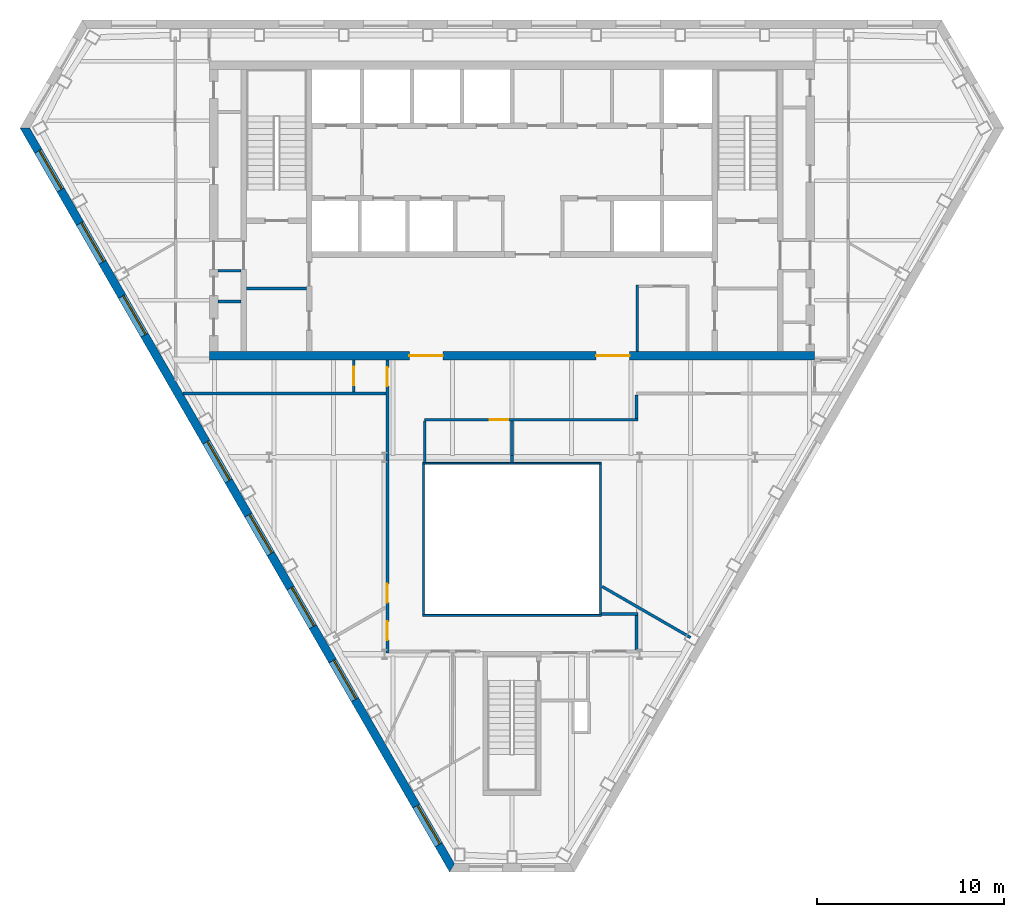
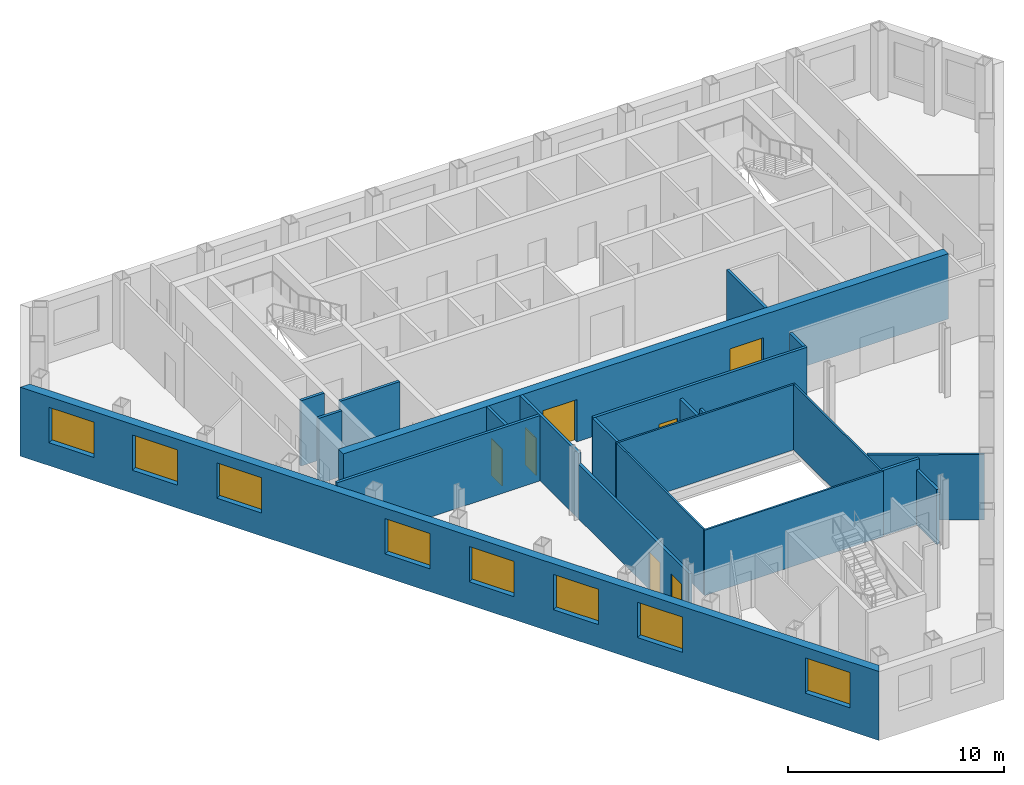
# One storey, part 4 of 10: 22 walls, 8 windows, 7 doors, 15 openings.
"""IFC4 building model written with IfcOpenShell, lengths in metres."""

from ifc_helpers import new_model, si_unit, direction, frame, frame_2d, origin, place, context, subcontext, project, spatial, polyline, rectangle, outline, extrude, material, layer, layer_set, type_object, element, fill, save


model = new_model("IFC4")

# Units and contexts
model_context = context("Model", 3, precision=1e-05, world=origin(), true_north=direction((0.0, 1.0)))
body_context = subcontext(model_context, "Body", "Model", "MODEL_VIEW")
ifc_project = project(units=[si_unit("LENGTHUNIT", "METRE"), si_unit("AREAUNIT", "SQUARE_METRE"), si_unit("VOLUMEUNIT", "CUBIC_METRE"), si_unit("PLANEANGLEUNIT", "RADIAN"), si_unit("MASSUNIT", "GRAM", prefix="KILO")], contexts=[model_context])

# Site, building, storey
site_placement = place(None, origin())
site = spatial("IfcSite", under=ifc_project, at=site_placement, CompositionType="ELEMENT")
building_placement = place(site_placement, origin())
building = spatial("IfcBuilding", under=site, at=building_placement, Name="Njiva Tower", CompositionType="ELEMENT")
storey_placement = place(building_placement, frame((0.0, 0.0, 231.6)))
storey = spatial("IfcBuildingStorey", under=building, at=storey_placement, Name="L52", CompositionType="ELEMENT", Elevation=231.6)

# Walls
ifc_material_1 = material(Name="Blockwork", Category="masonry")
ifc_layer_1 = layer(ifc_material_1, 0.15)
ifc_layer_set_1 = layer_set([ifc_layer_1], Name="Blockwork")
wall_type_1 = type_object("IfcWallType", Name="WT1 Compartment partition 150", PredefinedType="PARTITIONING", material=ifc_layer_set_1)
wall_1_placement = place(storey_placement, frame((-14.2, 5.825, 0.0), z_axis=(0.0, 0.0, 1.0), x_axis=(1.0, 0.0, 0.0)))
element("IfcWall", 1, at=wall_1_placement, inside=storey, type_object=wall_type_1, Name="Room wall A", PredefinedType="PARTITIONING", context=body_context, shape_type="SweptSolid", body=[
    extrude(rectangle(XDim=3.2, YDim=0.15, at=frame_2d((1.6, 0.0))), origin(), (0.0, 0.0, 1.0), 3.7),
])
wall_2_placement = place(storey_placement, frame((-15.75, 5.125, 0.0), z_axis=(0.0, 0.0, 1.0), x_axis=(1.0, 0.0, 0.0)))
element("IfcWall", 2, at=wall_2_placement, inside=storey, type_object=wall_type_1, Name="Partition strip W00", PredefinedType="PARTITIONING", context=body_context, shape_type="SweptSolid", body=[
    extrude(rectangle(XDim=1.25, YDim=0.15, at=frame_2d((0.625, 0.0))), origin(), (0.0, 0.0, 1.0), 3.7),
])
wall_3_placement = place(storey_placement, frame((6.7, 2.45, 0.0), z_axis=(0.0, 0.0, 1.0), x_axis=(0.0, 1.0, 0.0)))
element("IfcWall", 3, at=wall_3_placement, inside=storey, type_object=wall_type_1, Name="Security office wall west", PredefinedType="PARTITIONING", context=body_context, shape_type="SweptSolid", body=[
    extrude(rectangle(XDim=3.575, YDim=0.15, at=frame_2d((1.7875, 0.0))), origin(), (0.0, 0.0, 1.0), 3.7),
])

# Wall, openings, doors
ifc_material_2 = material(Name="Concrete C60/75", Category="concrete")
ifc_layer_2 = layer(ifc_material_2, 0.45)
ifc_layer_set_2 = layer_set([ifc_layer_2], Name="Concrete C60/75")
wall_type_2 = type_object("IfcWallType", Name="WT12 Core wall 450", PredefinedType="SHEAR", material=ifc_layer_set_2)
wall_4_placement = place(storey_placement, frame((-16.2, 2.225, 0.0), z_axis=(0.0, 0.0, 1.0), x_axis=(1.0, 0.0, 0.0)))
wall_4 = element("IfcWall", 4, at=wall_4_placement, inside=storey, type_object=wall_type_2, Name="Core wall south", PredefinedType="SHEAR", context=body_context, shape_type="SweptSolid", body=[
    extrude(rectangle(XDim=32.4, YDim=0.45, at=frame_2d((16.2, 0.0))), origin(), (0.0, 0.0, 1.0), 3.7),
])
opening_1_placement = place(wall_4_placement, frame((10.7, 0.0, 0.0)))
opening_1 = element("IfcOpeningElement", 5, at=opening_1_placement, cuts=wall_4, Name="Opening S17-D936", PredefinedType="OPENING", context=body_context, shape_type="SweptSolid", body=[
    extrude(rectangle(XDim=1.8, YDim=2.4, at=frame_2d((0.9, 1.2))), frame((0.0, 0.235, 0.0), z_axis=(0.0, -1.0, 0.0), x_axis=(1.0, 0.0, 0.0)), (0.0, 0.0, 1.0), 0.47),
])
opening_2_placement = place(wall_4_placement, frame((20.7, 0.0, 0.0)))
opening_2 = element("IfcOpeningElement", 6, at=opening_2_placement, cuts=wall_4, Name="Opening S17-D937", PredefinedType="OPENING", context=body_context, shape_type="SweptSolid", body=[
    extrude(rectangle(XDim=1.8, YDim=2.4, at=frame_2d((0.9, 1.2))), frame((0.0, 0.235, 0.0), z_axis=(0.0, -1.0, 0.0), x_axis=(1.0, 0.0, 0.0)), (0.0, 0.0, 1.0), 0.47),
])
ifc_material_3 = material(Name="Steel and glass door", Category="steel")
door_type_1 = type_object("IfcDoorType", Name="D3 Core entrance door 1800x2400", OperationType="DOUBLE_DOOR_SINGLE_SWING", PredefinedType="DOOR", material=ifc_material_3)
door_1_placement = place(opening_1_placement, origin())
door_1 = element("IfcDoor", 7, at=door_1_placement, inside=storey, type_object=door_type_1, Name="Core entrance door", OperationType="DOUBLE_DOOR_SINGLE_SWING", OverallHeight=2.4, OverallWidth=1.8, PredefinedType="DOOR", context=body_context, shape_type="SweptSolid", body=[
    extrude(rectangle(XDim=1.8, YDim=2.4, at=frame_2d((0.9, 1.2))), frame((0.0, 0.025, 0.0), z_axis=(0.0, -1.0, 0.0), x_axis=(1.0, 0.0, 0.0)), (0.0, 0.0, 1.0), 0.05),
])
fill(opening_1, door_1)
door_2_placement = place(opening_2_placement, origin())
door_2 = element("IfcDoor", 8, at=door_2_placement, inside=storey, type_object=door_type_1, Name="Core entrance door", OperationType="DOUBLE_DOOR_SINGLE_SWING", OverallHeight=2.4, OverallWidth=1.8, PredefinedType="DOOR", context=body_context, shape_type="SweptSolid", body=[
    extrude(rectangle(XDim=1.8, YDim=2.4, at=frame_2d((0.9, 1.2))), frame((0.0, 0.025, 0.0), z_axis=(0.0, -1.0, 0.0), x_axis=(1.0, 0.0, 0.0)), (0.0, 0.0, 1.0), 0.05),
])
fill(opening_2, door_2)

# Wall
ifc_material_4 = material(Name="Gypsum board on steel studs", Category="gypsum")
ifc_layer_3 = layer(ifc_material_4, 0.15)
ifc_layer_set_3 = layer_set([ifc_layer_3], Name="Gypsum board on steel studs")
wall_type_3 = type_object("IfcWallType", Name="WT21 Compartment wall 150", PredefinedType="PARTITIONING", material=ifc_layer_set_3)
wall_5_placement = place(storey_placement, frame((-17.608, 0.2, 0.0), z_axis=(0.0, 0.0, 1.0), x_axis=(1.0, 0.0, 0.0)))
element("IfcWall", 9, at=wall_5_placement, inside=storey, type_object=wall_type_3, Name="Partition S17-P004", PredefinedType="PARTITIONING", context=body_context, shape_type="SweptSolid", body=[
    extrude(rectangle(XDim=10.863, YDim=0.15, at=frame_2d((5.4315, 0.0))), origin(), (0.0, 0.0, 1.0), 3.7),
])

# Wall, opening, door
wall_6_placement = place(storey_placement, frame((-8.47, 0.275, 0.0), z_axis=(0.0, 0.0, 1.0), x_axis=(0.0, 1.0, 0.0)))
wall_6 = element("IfcWall", 10, at=wall_6_placement, inside=storey, type_object=wall_type_3, Name="Partition S17-P007", PredefinedType="PARTITIONING", context=body_context, shape_type="SweptSolid", body=[
    extrude(rectangle(XDim=1.725, YDim=0.15, at=frame_2d((0.8625, 0.0))), origin(), (0.0, 0.0, 1.0), 3.7),
])
opening_3_placement = place(wall_6_placement, frame((0.363, 0.0, 0.0)))
opening_3 = element("IfcOpeningElement", 11, at=opening_3_placement, cuts=wall_6, Name="Opening S17-D005", PredefinedType="OPENING", context=body_context, shape_type="SweptSolid", body=[
    extrude(rectangle(XDim=1.0, YDim=2.1, at=frame_2d((0.5, 1.05))), frame((0.0, 0.085, 0.0), z_axis=(0.0, -1.0, 0.0), x_axis=(1.0, 0.0, 0.0)), (0.0, 0.0, 1.0), 0.17),
])
ifc_material_5 = material(Name="Steel fire door set", Category="steel")
door_type_2 = type_object("IfcDoorType", Name="D37 Fire door 1000x2100", OperationType="SINGLE_SWING_LEFT", PredefinedType="DOOR", material=ifc_material_5)
door_3_placement = place(opening_3_placement, origin())
door_3 = element("IfcDoor", 12, at=door_3_placement, inside=storey, type_object=door_type_2, Name="Door S17-D005", OperationType="SINGLE_SWING_LEFT", OverallHeight=2.1, OverallWidth=1.0, PredefinedType="DOOR", context=body_context, shape_type="SweptSolid", body=[
    extrude(rectangle(XDim=1.0, YDim=2.1, at=frame_2d((0.5, 1.05))), frame((0.0, 0.025, 0.0), z_axis=(0.0, -1.0, 0.0), x_axis=(1.0, 0.0, 0.0)), (0.0, 0.0, 1.0), 0.05),
])
fill(opening_3, door_3)

# Wall, openings, doors
wall_7_placement = place(storey_placement, frame((-6.67, -13.675, 0.0), z_axis=(0.0, 0.0, 1.0), x_axis=(0.0, 1.0, 0.0)))
wall_7 = element("IfcWall", 13, at=wall_7_placement, inside=storey, type_object=wall_type_3, Name="Partition S17-P009", PredefinedType="PARTITIONING", context=body_context, shape_type="SweptSolid", body=[
    extrude(rectangle(XDim=10.263, YDim=0.15, at=frame_2d((5.1315, 0.0))), origin(), (0.0, 0.0, 1.0), 3.11),
])
opening_4_placement = place(wall_7_placement, frame((0.678, 0.0, 0.0)))
opening_4 = element("IfcOpeningElement", 14, at=opening_4_placement, cuts=wall_7, Name="Opening S17-D006", PredefinedType="OPENING", context=body_context, shape_type="SweptSolid", body=[
    extrude(rectangle(XDim=1.0, YDim=2.1, at=frame_2d((0.5, 1.05))), frame((0.0, 0.085, 0.0), z_axis=(0.0, -1.0, 0.0), x_axis=(1.0, 0.0, 0.0)), (0.0, 0.0, 1.0), 0.17),
])
opening_5_placement = place(wall_7_placement, frame((2.685, 0.0, 0.0)))
opening_5 = element("IfcOpeningElement", 15, at=opening_5_placement, cuts=wall_7, Name="Opening S17-D007", PredefinedType="OPENING", context=body_context, shape_type="SweptSolid", body=[
    extrude(rectangle(XDim=1.0, YDim=2.1, at=frame_2d((0.5, 1.05))), frame((0.0, 0.085, 0.0), z_axis=(0.0, -1.0, 0.0), x_axis=(1.0, 0.0, 0.0)), (0.0, 0.0, 1.0), 0.17),
])
door_4_placement = place(opening_4_placement, origin())
door_4 = element("IfcDoor", 16, at=door_4_placement, inside=storey, type_object=door_type_2, Name="Door S17-D006", OperationType="SINGLE_SWING_RIGHT", OverallHeight=2.1, OverallWidth=1.0, PredefinedType="DOOR", context=body_context, shape_type="SweptSolid", body=[
    extrude(rectangle(XDim=1.0, YDim=2.1, at=frame_2d((0.5, 1.05))), frame((0.0, 0.025, 0.0), z_axis=(0.0, -1.0, 0.0), x_axis=(1.0, 0.0, 0.0)), (0.0, 0.0, 1.0), 0.05),
])
fill(opening_4, door_4)
door_5_placement = place(opening_5_placement, origin())
door_5 = element("IfcDoor", 17, at=door_5_placement, inside=storey, type_object=door_type_2, Name="Door S17-D007", OperationType="SINGLE_SWING_RIGHT", OverallHeight=2.1, OverallWidth=1.0, PredefinedType="DOOR", context=body_context, shape_type="SweptSolid", body=[
    extrude(rectangle(XDim=1.0, YDim=2.1, at=frame_2d((0.5, 1.05))), frame((0.0, 0.025, 0.0), z_axis=(0.0, -1.0, 0.0), x_axis=(1.0, 0.0, 0.0)), (0.0, 0.0, 1.0), 0.05),
])
fill(opening_5, door_5)

# Wall, opening, door
wall_8_placement = place(storey_placement, frame((-6.67, -3.412, 0.0), z_axis=(0.0, 0.0, 1.0), x_axis=(0.0, 1.0, 0.0)))
wall_8 = element("IfcWall", 18, at=wall_8_placement, inside=storey, type_object=wall_type_3, Name="Partition S17-P009A", PredefinedType="PARTITIONING", context=body_context, shape_type="SweptSolid", body=[
    extrude(rectangle(XDim=5.412, YDim=0.15, at=frame_2d((2.706, 0.0))), origin(), (0.0, 0.0, 1.0), 3.7),
])
opening_6_placement = place(wall_8_placement, frame((4.012, 0.0, 0.0)))
opening_6 = element("IfcOpeningElement", 19, at=opening_6_placement, cuts=wall_8, Name="Opening S17-D008", PredefinedType="OPENING", context=body_context, shape_type="SweptSolid", body=[
    extrude(rectangle(XDim=1.0, YDim=2.1, at=frame_2d((0.5, 1.05))), frame((0.0, 0.085, 0.0), z_axis=(0.0, -1.0, 0.0), x_axis=(1.0, 0.0, 0.0)), (0.0, 0.0, 1.0), 0.17),
])
door_6_placement = place(opening_6_placement, origin())
door_6 = element("IfcDoor", 20, at=door_6_placement, inside=storey, type_object=door_type_2, Name="Door S17-D008", OperationType="SINGLE_SWING_LEFT", OverallHeight=2.1, OverallWidth=1.0, PredefinedType="DOOR", context=body_context, shape_type="SweptSolid", body=[
    extrude(rectangle(XDim=1.0, YDim=2.1, at=frame_2d((0.5, 1.05))), frame((0.0, 0.025, 0.0), z_axis=(0.0, -1.0, 0.0), x_axis=(1.0, 0.0, 0.0)), (0.0, 0.0, 1.0), 0.05),
])
fill(opening_6, door_6)

wall_9_placement = place(storey_placement, frame((-4.681, -1.2, 0.0), z_axis=(0.0, 0.0, 1.0), x_axis=(1.0, 0.0, 0.0)))
wall_9 = element("IfcWall", 21, at=wall_9_placement, inside=storey, type_object=wall_type_3, Name="Partition S17-P012", PredefinedType="PARTITIONING", context=body_context, shape_type="SweptSolid", body=[
    extrude(rectangle(XDim=11.426, YDim=0.15, at=frame_2d((5.713, 0.0))), origin(), (0.0, 0.0, 1.0), 3.7),
])
opening_7_placement = place(wall_9_placement, frame((3.481, 0.0, 0.0)))
opening_7 = element("IfcOpeningElement", 22, at=opening_7_placement, cuts=wall_9, Name="Opening S17-D011", PredefinedType="OPENING", context=body_context, shape_type="SweptSolid", body=[
    extrude(rectangle(XDim=1.0, YDim=2.1, at=frame_2d((0.5, 1.05))), frame((0.0, 0.085, 0.0), z_axis=(0.0, -1.0, 0.0), x_axis=(1.0, 0.0, 0.0)), (0.0, 0.0, 1.0), 0.17),
])
door_7_placement = place(opening_7_placement, origin())
door_7 = element("IfcDoor", 23, at=door_7_placement, inside=storey, type_object=door_type_2, Name="Door S17-D011", OperationType="SINGLE_SWING_LEFT", OverallHeight=2.1, OverallWidth=1.0, PredefinedType="DOOR", context=body_context, shape_type="SweptSolid", body=[
    extrude(rectangle(XDim=1.0, YDim=2.1, at=frame_2d((0.5, 1.05))), frame((0.0, 0.025, 0.0), z_axis=(0.0, -1.0, 0.0), x_axis=(1.0, 0.0, 0.0)), (0.0, 0.0, 1.0), 0.05),
])
fill(opening_7, door_7)

# Walls
wall_10_placement = place(storey_placement, frame((-4.67, -3.48, 0.0), z_axis=(0.0, 0.0, 1.0), x_axis=(0.000453514693, 0.999999897162, 0.0)))
element("IfcWall", 24, at=wall_10_placement, inside=storey, type_object=wall_type_3, Name="Partition S17-P013", PredefinedType="PARTITIONING", context=body_context, shape_type="SweptSolid", body=[
    extrude(rectangle(XDim=2.205, YDim=0.15, at=frame_2d((1.1025, 0.0))), origin(), (0.0, 0.0, 1.0), 3.7),
])
wall_11_placement = place(storey_placement, frame((-0.001, -3.48, 0.0), z_axis=(0.0, 0.0, 1.0), x_axis=(0.000526315717, 0.999999861496, 0.0)))
element("IfcWall", 25, at=wall_11_placement, inside=storey, type_object=wall_type_3, Name="Partition S17-P016", PredefinedType="PARTITIONING", context=body_context, shape_type="SweptSolid", body=[
    extrude(rectangle(XDim=0.38, YDim=0.15, at=frame_2d((0.19, 0.0))), origin(), (0.0, 0.0, 1.0), 3.7),
])
wall_12_placement = place(storey_placement, frame((-0.0008, -3.1, 0.0), z_axis=(0.0, 0.0, 1.0), x_axis=(0.000438356122, 0.999999903922, 0.0)))
element("IfcWall", 26, at=wall_12_placement, inside=storey, type_object=wall_type_3, Name="Partition S17-P016A", PredefinedType="PARTITIONING", context=body_context, shape_type="SweptSolid", body=[
    extrude(rectangle(XDim=1.825, YDim=0.15, at=frame_2d((0.9125, 0.0))), origin(), (0.0, 0.0, 1.0), 3.15),
])
wall_13_placement = place(storey_placement, frame((4.79, -11.6, 0.0), z_axis=(0.0, 0.0, 1.0), x_axis=(1.0, 0.0, 0.0)))
element("IfcWall", 27, at=wall_13_placement, inside=storey, type_object=wall_type_3, Name="Partition S17-P018", PredefinedType="PARTITIONING", context=body_context, shape_type="SweptSolid", body=[
    extrude(rectangle(XDim=1.955, YDim=0.15, at=frame_2d((0.9775, 0.0))), origin(), (0.0, 0.0, 1.0), 3.7),
])
wall_14_placement = place(storey_placement, frame((4.827, -10.127, 0.0), z_axis=(0.0, 0.0, 1.0), x_axis=(0.866103179807, -0.499865263774, 0.0)))
element("IfcWall", 28, at=wall_14_placement, inside=storey, type_object=wall_type_3, Name="Partition S17-P019", PredefinedType="PARTITIONING", context=body_context, shape_type="SweptSolid", body=[
    extrude(rectangle(XDim=5.4555, YDim=0.15, at=frame_2d((2.7278, 0.0))), origin(), (0.0, 0.0, 1.0), 3.7),
])
wall_15_placement = place(storey_placement, frame((6.67, -13.525, 0.0), z_axis=(0.0, 0.0, 1.0), x_axis=(0.0, 1.0, 0.0)))
element("IfcWall", 29, at=wall_15_placement, inside=storey, type_object=wall_type_3, Name="Partition S17-P020", PredefinedType="PARTITIONING", context=body_context, shape_type="SweptSolid", body=[
    extrude(rectangle(XDim=1.85, YDim=0.15, at=frame_2d((0.925, 0.0))), origin(), (0.0, 0.0, 1.0), 3.11),
])
wall_16_placement = place(storey_placement, frame((6.67, -1.125, 0.0), z_axis=(0.0, 0.0, 1.0), x_axis=(0.0, 1.0, 0.0)))
element("IfcWall", 30, at=wall_16_placement, inside=storey, type_object=wall_type_3, Name="Partition S17-P021", PredefinedType="PARTITIONING", context=body_context, shape_type="SweptSolid", body=[
    extrude(rectangle(XDim=1.25, YDim=0.15, at=frame_2d((0.625, 0.0))), origin(), (0.0, 0.0, 1.0), 3.7),
])
ifc_layer_4 = layer(ifc_material_1, 0.15)
ifc_layer_set_4 = layer_set([ifc_layer_4], Name="Blockwork")
wall_type_4 = type_object("IfcWallType", Name="WT4 Stair partition 150", PredefinedType="PARTITIONING", material=ifc_layer_set_4)
wall_17_placement = place(storey_placement, frame((-15.75, 6.775, 0.0), z_axis=(0.0, 0.0, 1.0), x_axis=(1.0, 0.0, 0.0)))
element("IfcWall", 31, at=wall_17_placement, inside=storey, type_object=wall_type_4, Name="Stair A exit passage wall south", PredefinedType="PARTITIONING", context=body_context, shape_type="SweptSolid", body=[
    extrude(rectangle(XDim=1.25, YDim=0.15, at=frame_2d((0.625, 0.0))), origin(), (0.0, 0.0, 1.0), 3.7),
])

# Wall, openings, windows
ifc_material_6 = material(Name="Brick masonry", Category="masonry")
ifc_layer_5 = layer(ifc_material_6, 0.45)
ifc_layer_set_5 = layer_set([ifc_layer_5], Name="Brick masonry")
wall_type_5 = type_object("IfcWallType", Name="WT90 Brick pier and spandrel wall 450", PredefinedType="SOLIDWALL", material=ifc_layer_set_5)
wall_18_placement = place(storey_placement, frame((-26.0752, 14.415, -0.4), z_axis=(0.0, 0.0, 1.0), x_axis=(0.499999194392, -0.866025868902, 0.0)))
wall_18 = element("IfcWall", 32, at=wall_18_placement, inside=storey, type_object=wall_type_5, Name="Facade wall SW", PredefinedType="SOLIDWALL", context=body_context, shape_type="SweptSolid", body=[
    extrude(outline(polyline([(-0.1299, -0.225), (45.8602, -0.225), (45.6004, 0.225), (0.1299, 0.225), (-0.1299, -0.225)])), origin(), (0.0, 0.0, 1.0), 3.9),
])
opening_8_placement = place(wall_18_placement, frame((1.4237, 0.0, 1.3)))
opening_8 = element("IfcOpeningElement", 33, at=opening_8_placement, cuts=wall_18, Name="Opening S17-W11", PredefinedType="OPENING", context=body_context, shape_type="SweptSolid", body=[
    extrude(rectangle(XDim=2.4, YDim=2.0, at=frame_2d((1.2, 1.0))), frame((0.0, 0.235, 0.0), z_axis=(0.0, -1.0, 0.0), x_axis=(1.0, 0.0, 0.0)), (0.0, 0.0, 1.0), 0.47),
])
opening_9_placement = place(wall_18_placement, frame((5.8919, 0.0, 1.3)))
opening_9 = element("IfcOpeningElement", 34, at=opening_9_placement, cuts=wall_18, Name="Opening S17-W12", PredefinedType="OPENING", context=body_context, shape_type="SweptSolid", body=[
    extrude(rectangle(XDim=2.4, YDim=2.0, at=frame_2d((1.2, 1.0))), frame((0.0, 0.235, 0.0), z_axis=(0.0, -1.0, 0.0), x_axis=(1.0, 0.0, 0.0)), (0.0, 0.0, 1.0), 0.47),
])
opening_10_placement = place(wall_18_placement, frame((10.3985, 0.0, 1.3)))
opening_10 = element("IfcOpeningElement", 35, at=opening_10_placement, cuts=wall_18, Name="Opening S17-W13", PredefinedType="OPENING", context=body_context, shape_type="SweptSolid", body=[
    extrude(rectangle(XDim=2.4, YDim=2.0, at=frame_2d((1.2, 1.0))), frame((0.0, 0.235, 0.0), z_axis=(0.0, -1.0, 0.0), x_axis=(1.0, 0.0, 0.0)), (0.0, 0.0, 1.0), 0.47),
])
opening_11_placement = place(wall_18_placement, frame((19.4118, 0.0, 1.3)))
opening_11 = element("IfcOpeningElement", 36, at=opening_11_placement, cuts=wall_18, Name="Opening S17-W14", PredefinedType="OPENING", context=body_context, shape_type="SweptSolid", body=[
    extrude(rectangle(XDim=2.4, YDim=2.0, at=frame_2d((1.2, 1.0))), frame((0.0, 0.235, 0.0), z_axis=(0.0, -1.0, 0.0), x_axis=(1.0, 0.0, 0.0)), (0.0, 0.0, 1.0), 0.47),
])
opening_12_placement = place(wall_18_placement, frame((23.9184, 0.0, 1.3)))
opening_12 = element("IfcOpeningElement", 37, at=opening_12_placement, cuts=wall_18, Name="Opening S17-W15", PredefinedType="OPENING", context=body_context, shape_type="SweptSolid", body=[
    extrude(rectangle(XDim=2.4, YDim=2.0, at=frame_2d((1.2, 1.0))), frame((0.0, 0.235, 0.0), z_axis=(0.0, -1.0, 0.0), x_axis=(1.0, 0.0, 0.0)), (0.0, 0.0, 1.0), 0.47),
])
opening_13_placement = place(wall_18_placement, frame((28.425, 0.0, 1.3)))
opening_13 = element("IfcOpeningElement", 38, at=opening_13_placement, cuts=wall_18, Name="Opening S17-W16", PredefinedType="OPENING", context=body_context, shape_type="SweptSolid", body=[
    extrude(rectangle(XDim=2.4, YDim=2.0, at=frame_2d((1.2, 1.0))), frame((0.0, 0.235, 0.0), z_axis=(0.0, -1.0, 0.0), x_axis=(1.0, 0.0, 0.0)), (0.0, 0.0, 1.0), 0.47),
])
opening_14_placement = place(wall_18_placement, frame((32.9316, 0.0, 1.3)))
opening_14 = element("IfcOpeningElement", 39, at=opening_14_placement, cuts=wall_18, Name="Opening S17-W17", PredefinedType="OPENING", context=body_context, shape_type="SweptSolid", body=[
    extrude(rectangle(XDim=2.4, YDim=2.0, at=frame_2d((1.2, 1.0))), frame((0.0, 0.235, 0.0), z_axis=(0.0, -1.0, 0.0), x_axis=(1.0, 0.0, 0.0)), (0.0, 0.0, 1.0), 0.47),
])
opening_15_placement = place(wall_18_placement, frame((41.9065, 0.0, 1.3)))
opening_15 = element("IfcOpeningElement", 40, at=opening_15_placement, cuts=wall_18, Name="Opening S17-W18", PredefinedType="OPENING", context=body_context, shape_type="SweptSolid", body=[
    extrude(rectangle(XDim=2.4, YDim=2.0, at=frame_2d((1.2, 1.0))), frame((0.0, 0.235, 0.0), z_axis=(0.0, -1.0, 0.0), x_axis=(1.0, 0.0, 0.0)), (0.0, 0.0, 1.0), 0.47),
])
ifc_material_7 = material(Name="Clear glazing in aluminium frame", Category="aluminium")
window_type = type_object("IfcWindowType", Name="W90 Deep-set window 2400x2000", PartitioningType="SINGLE_PANEL", PredefinedType="WINDOW", material=ifc_material_7)
window_1_placement = place(opening_8_placement, origin())
window_1 = element("IfcWindow", 41, at=window_1_placement, inside=storey, type_object=window_type, Name="Window", OverallHeight=2.0, OverallWidth=2.4, PartitioningType="SINGLE_PANEL", PredefinedType="WINDOW", context=body_context, shape_type="SweptSolid", body=[
    extrude(rectangle(XDim=2.4, YDim=2.0, at=frame_2d((1.2, 1.0))), frame((0.0, 0.105, 0.0), z_axis=(0.0, -1.0, 0.0), x_axis=(1.0, 0.0, 0.0)), (0.0, 0.0, 1.0), 0.06),
])
fill(opening_8, window_1)
window_2_placement = place(opening_9_placement, origin())
window_2 = element("IfcWindow", 42, at=window_2_placement, inside=storey, type_object=window_type, Name="Window", OverallHeight=2.0, OverallWidth=2.4, PartitioningType="SINGLE_PANEL", PredefinedType="WINDOW", context=body_context, shape_type="SweptSolid", body=[
    extrude(rectangle(XDim=2.4, YDim=2.0, at=frame_2d((1.2, 1.0))), frame((0.0, 0.105, 0.0), z_axis=(0.0, -1.0, 0.0), x_axis=(1.0, 0.0, 0.0)), (0.0, 0.0, 1.0), 0.06),
])
fill(opening_9, window_2)
window_3_placement = place(opening_10_placement, origin())
window_3 = element("IfcWindow", 43, at=window_3_placement, inside=storey, type_object=window_type, Name="Window", OverallHeight=2.0, OverallWidth=2.4, PartitioningType="SINGLE_PANEL", PredefinedType="WINDOW", context=body_context, shape_type="SweptSolid", body=[
    extrude(rectangle(XDim=2.4, YDim=2.0, at=frame_2d((1.2, 1.0))), frame((0.0, 0.105, 0.0), z_axis=(0.0, -1.0, 0.0), x_axis=(1.0, 0.0, 0.0)), (0.0, 0.0, 1.0), 0.06),
])
fill(opening_10, window_3)
window_4_placement = place(opening_11_placement, origin())
window_4 = element("IfcWindow", 44, at=window_4_placement, inside=storey, type_object=window_type, Name="Window", OverallHeight=2.0, OverallWidth=2.4, PartitioningType="SINGLE_PANEL", PredefinedType="WINDOW", context=body_context, shape_type="SweptSolid", body=[
    extrude(rectangle(XDim=2.4, YDim=2.0, at=frame_2d((1.2, 1.0))), frame((0.0, 0.105, 0.0), z_axis=(0.0, -1.0, 0.0), x_axis=(1.0, 0.0, 0.0)), (0.0, 0.0, 1.0), 0.06),
])
fill(opening_11, window_4)
window_5_placement = place(opening_12_placement, origin())
window_5 = element("IfcWindow", 45, at=window_5_placement, inside=storey, type_object=window_type, Name="Window", OverallHeight=2.0, OverallWidth=2.4, PartitioningType="SINGLE_PANEL", PredefinedType="WINDOW", context=body_context, shape_type="SweptSolid", body=[
    extrude(rectangle(XDim=2.4, YDim=2.0, at=frame_2d((1.2, 1.0))), frame((0.0, 0.105, 0.0), z_axis=(0.0, -1.0, 0.0), x_axis=(1.0, 0.0, 0.0)), (0.0, 0.0, 1.0), 0.06),
])
fill(opening_12, window_5)
window_6_placement = place(opening_13_placement, origin())
window_6 = element("IfcWindow", 46, at=window_6_placement, inside=storey, type_object=window_type, Name="Window", OverallHeight=2.0, OverallWidth=2.4, PartitioningType="SINGLE_PANEL", PredefinedType="WINDOW", context=body_context, shape_type="SweptSolid", body=[
    extrude(rectangle(XDim=2.4, YDim=2.0, at=frame_2d((1.2, 1.0))), frame((0.0, 0.105, 0.0), z_axis=(0.0, -1.0, 0.0), x_axis=(1.0, 0.0, 0.0)), (0.0, 0.0, 1.0), 0.06),
])
fill(opening_13, window_6)
window_7_placement = place(opening_14_placement, origin())
window_7 = element("IfcWindow", 47, at=window_7_placement, inside=storey, type_object=window_type, Name="Window", OverallHeight=2.0, OverallWidth=2.4, PartitioningType="SINGLE_PANEL", PredefinedType="WINDOW", context=body_context, shape_type="SweptSolid", body=[
    extrude(rectangle(XDim=2.4, YDim=2.0, at=frame_2d((1.2, 1.0))), frame((0.0, 0.105, 0.0), z_axis=(0.0, -1.0, 0.0), x_axis=(1.0, 0.0, 0.0)), (0.0, 0.0, 1.0), 0.06),
])
fill(opening_14, window_7)
window_8_placement = place(opening_15_placement, origin())
window_8 = element("IfcWindow", 48, at=window_8_placement, inside=storey, type_object=window_type, Name="Window", OverallHeight=2.0, OverallWidth=2.4, PartitioningType="SINGLE_PANEL", PredefinedType="WINDOW", context=body_context, shape_type="SweptSolid", body=[
    extrude(rectangle(XDim=2.4, YDim=2.0, at=frame_2d((1.2, 1.0))), frame((0.0, 0.105, 0.0), z_axis=(0.0, -1.0, 0.0), x_axis=(1.0, 0.0, 0.0)), (0.0, 0.0, 1.0), 0.06),
])
fill(opening_15, window_8)

# Walls
ifc_material_8 = material(Name="Fire-resisting glazing EI 90", Category="glass")
ifc_layer_6 = layer(ifc_material_8, 0.1)
ifc_layer_set_6 = layer_set([ifc_layer_6], Name="Fire-resisting glazing EI 90")
wall_type_6 = type_object("IfcWallType", Name="WT95 Fire-resisting glazed screen EI 90", PredefinedType="PARTITIONING", material=ifc_layer_set_6)
wall_19_placement = place(storey_placement, frame((-4.79, -11.67, 0.0), z_axis=(0.0, 0.0, 1.0), x_axis=(1.0, 0.0, 0.0)))
element("IfcWall", 49, at=wall_19_placement, inside=storey, type_object=wall_type_6, Name="Atrium fire screen south", PredefinedType="PARTITIONING", context=body_context, shape_type="SweptSolid", body=[
    extrude(rectangle(XDim=9.58, YDim=0.1, at=frame_2d((4.79, 0.0))), origin(), (0.0, 0.0, 1.0), 3.7),
])
wall_20_placement = place(storey_placement, frame((4.74, -11.62, 0.0), z_axis=(0.0, 0.0, 1.0), x_axis=(0.0, 1.0, 0.0)))
element("IfcWall", 50, at=wall_20_placement, inside=storey, type_object=wall_type_6, Name="Atrium fire screen east", PredefinedType="PARTITIONING", context=body_context, shape_type="SweptSolid", body=[
    extrude(rectangle(XDim=8.04, YDim=0.1, at=frame_2d((4.02, 0.0))), origin(), (0.0, 0.0, 1.0), 3.7),
])
wall_21_placement = place(storey_placement, frame((4.79, -3.53, 0.0), z_axis=(0.0, 0.0, 1.0), x_axis=(-1.0, 0.0, 0.0)))
element("IfcWall", 51, at=wall_21_placement, inside=storey, type_object=wall_type_6, Name="Atrium fire screen north", PredefinedType="PARTITIONING", context=body_context, shape_type="SweptSolid", body=[
    extrude(rectangle(XDim=9.58, YDim=0.1, at=frame_2d((4.79, 0.0))), origin(), (0.0, 0.0, 1.0), 3.7),
])
wall_22_placement = place(storey_placement, frame((-4.74, -3.58, 0.0), z_axis=(0.0, 0.0, 1.0), x_axis=(0.0, -1.0, 0.0)))
element("IfcWall", 52, at=wall_22_placement, inside=storey, type_object=wall_type_6, Name="Atrium fire screen west", PredefinedType="PARTITIONING", context=body_context, shape_type="SweptSolid", body=[
    extrude(rectangle(XDim=8.04, YDim=0.1, at=frame_2d((4.02, 0.0))), origin(), (0.0, 0.0, 1.0), 3.7),
])

save(model, "model.ifc")
